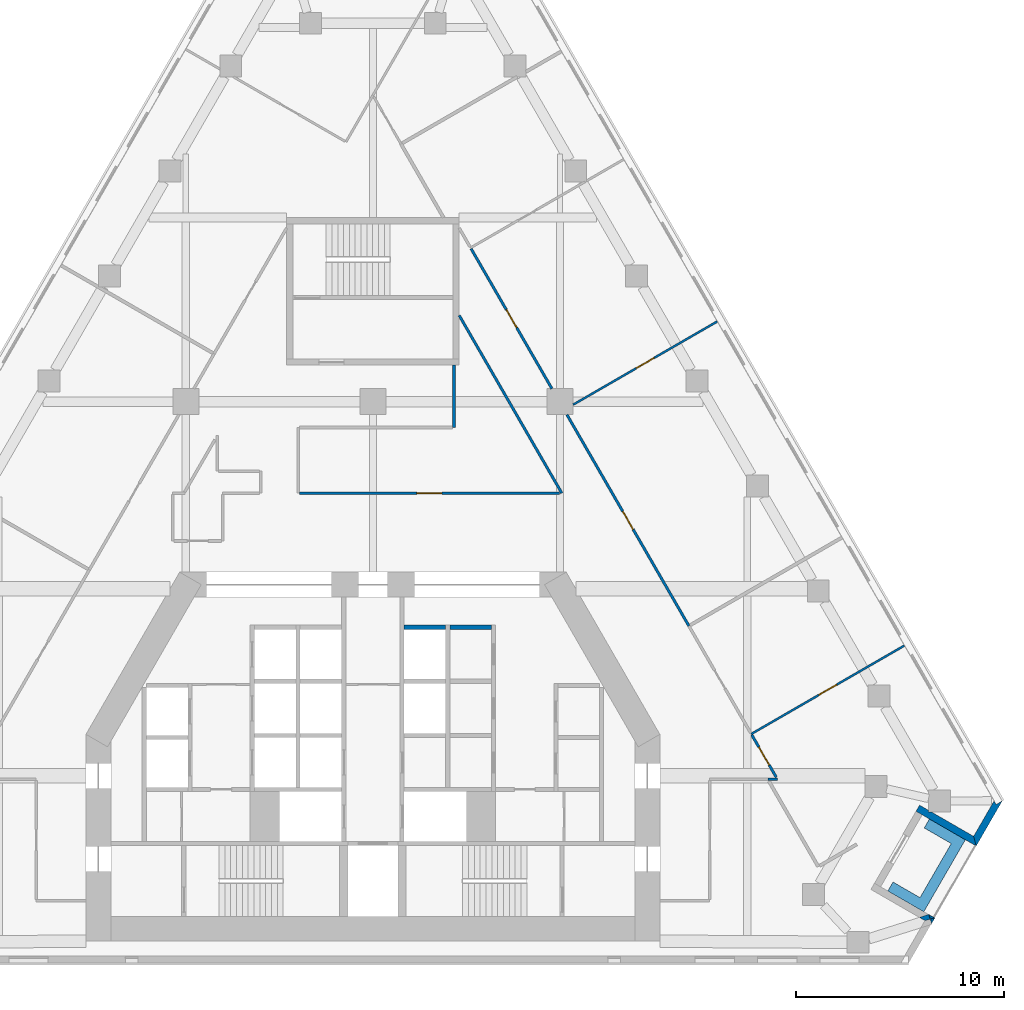
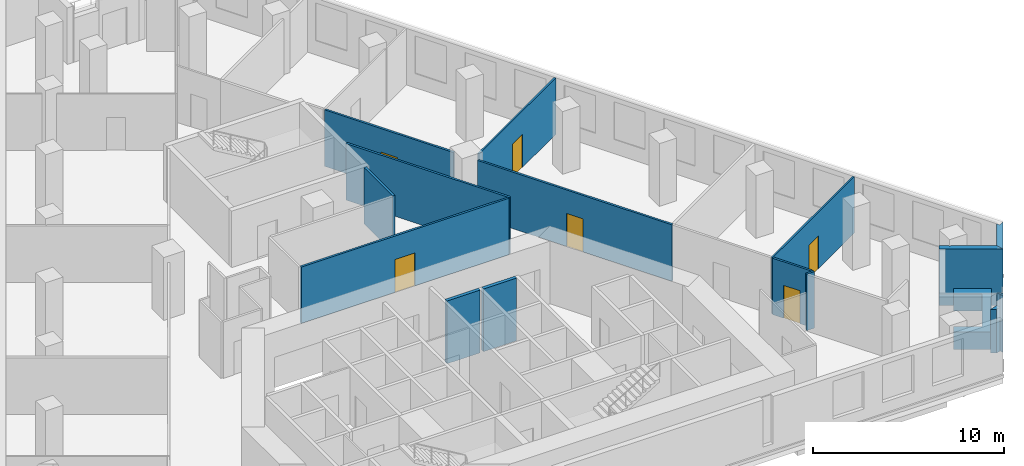
# One storey, part 7 of 10: 17 walls, 6 doors, 6 openings.
"""IFC4 building model written with IfcOpenShell, lengths in metres."""

from ifc_helpers import new_model, si_unit, direction, frame, frame_2d, origin, place, context, subcontext, project, spatial, polyline, rectangle, outline, extrude, material, layer, layer_set, type_object, element, fill, save


model = new_model("IFC4")

# Units and contexts
model_context = context("Model", 3, precision=1e-05, world=origin(), true_north=direction((0.0, 1.0)))
body_context = subcontext(model_context, "Body", "Model", "MODEL_VIEW")
ifc_project = project(units=[si_unit("LENGTHUNIT", "METRE"), si_unit("AREAUNIT", "SQUARE_METRE"), si_unit("VOLUMEUNIT", "CUBIC_METRE"), si_unit("PLANEANGLEUNIT", "RADIAN"), si_unit("MASSUNIT", "GRAM", prefix="KILO")], contexts=[model_context])

# Site, building, storey
site_placement = place(None, origin())
site = spatial("IfcSite", under=ifc_project, at=site_placement, CompositionType="ELEMENT")
building_placement = place(site_placement, origin())
building = spatial("IfcBuilding", under=site, at=building_placement, Name="Fogline Exchange Tower", CompositionType="ELEMENT")
storey_placement = place(building_placement, frame((0.0, 0.0, 116.10009765625)))
storey = spatial("IfcBuildingStorey", under=building, at=storey_placement, Name="L25", CompositionType="ELEMENT", Elevation=116.10009765625)

# Walls
ifc_material_1 = material(Name="Concrete C40", Category="concrete")
ifc_layer_1 = layer(ifc_material_1, 0.199951171875)
ifc_layer_set_1 = layer_set([ifc_layer_1], Name="CW20S")
wall_type_1 = type_object("IfcWallType", Name="CW20S", PredefinedType="SOLIDWALL", material=ifc_layer_set_1)
for number, where, z_axis, x_axis, name in (
    (1, (3.699951171875, 16.14990234375, -0.400146484375), (0.0, 0.0, 1.0), (1.0, 0.0, 0.0), "Lift shaft wall"),
    (2, (1.5, 16.14990234375, -0.400146484375), (0.0, 0.0, 1.0), (1.0, 0.0, 0.0), "Lift shaft wall"),
):
    element("IfcWall", number, at=place(storey_placement, frame(where, z_axis=z_axis, x_axis=x_axis)), inside=storey, type_object=wall_type_1, Name=name, PredefinedType="SOLIDWALL", context=body_context, shape_type="SweptSolid", body=[
        extrude(rectangle(XDim=2.0, YDim=0.199951171875, at=frame_2d((1.0, 0.0))), origin(), (0.0, 0.0, 1.0), 4.0),
    ])
ifc_material_2 = material(Name="Brick masonry", Category="masonry")
ifc_layer_2 = layer(ifc_material_2, 0.340087890625)
ifc_layer_set_2 = layer_set([ifc_layer_2], Name="FW1")
wall_type_2 = type_object("IfcWallType", Name="FW1", PredefinedType="SOLIDWALL", material=ifc_layer_set_2)
wall_1_placement = place(storey_placement, origin())
element("IfcWall", 3, at=wall_1_placement, inside=storey, type_object=wall_type_2, Name="Brick wall L25 SE-c1", PredefinedType="SOLIDWALL", context=body_context, shape_type="SweptSolid", body=[
    extrude(outline(polyline([(26.8740234375, 1.91845703125), (26.81298828125, 2.111328125), (27.0166015625, 2.166015625), (27.0166015625, 2.165771484375), (26.8740234375, 1.91845703125)])), origin(), (0.0, 0.0, 1.0), 3.599853515625),
])
wall_2_placement = place(storey_placement, origin())
element("IfcWall", 4, at=wall_2_placement, inside=storey, type_object=wall_type_2, Name="Brick wall L25 SE-s1", PredefinedType="SOLIDWALL", context=body_context, shape_type="SweptSolid", body=[
    extrude(outline(polyline([(26.746826171875, 2.321044921875), (26.8134765625, 2.1103515625), (26.551025390625, 2.0400390625), (26.281005859375, 2.196044921875), (26.721923828125, 2.33544921875), (26.746826171875, 2.321044921875)])), origin(), (0.0, 0.0, 1.0), 2.7998046875),
])
wall_3_placement = place(storey_placement, origin())
element("IfcWall", 5, at=wall_3_placement, inside=storey, type_object=wall_type_2, Name="Brick wall L25 SE-s1", PredefinedType="SOLIDWALL", context=body_context, shape_type="SweptSolid", body=[
    extrude(outline(polyline([(27.016845703125, 2.1650390625), (27.016845703125, 2.164794921875), (26.8134765625, 2.1103515625), (26.746826171875, 2.321044921875), (27.016845703125, 2.1650390625)])), origin(), (0.0, 0.0, 1.0), 3.599853515625),
])
wall_4_placement = place(storey_placement, origin())
element("IfcWall", 6, at=wall_4_placement, inside=storey, type_object=wall_type_2, Name="Brick wall L25 SE-s2", PredefinedType="SOLIDWALL", context=body_context, shape_type="SweptSolid", body=[
    extrude(outline(polyline([(29.016357421875, 5.628173828125), (26.417236328125, 7.128662109375), (26.122314453125, 7.298828125), (26.29296875, 7.594482421875), (26.72412109375, 7.345458984375), (26.72412109375, 7.269287109375), (26.856201171875, 7.269287109375), (28.8916015625, 6.093994140625), (29.0166015625, 5.62841796875), (29.016357421875, 5.628173828125)])), origin(), (0.0, 0.0, 1.0), 3.599853515625),
])
wall_5_placement = place(storey_placement, origin())
element("IfcWall", 7, at=wall_5_placement, inside=storey, type_object=wall_type_2, Name="Brick wall L25 SE-c2", PredefinedType="SOLIDWALL", context=body_context, shape_type="SweptSolid", body=[
    extrude(outline(polyline([(29.873046875, 7.79541015625), (29.971435546875, 7.625), (30.266357421875, 7.79541015625), (30.2666015625, 7.794921875), (29.015625, 5.6279296875), (29.015380859375, 5.6279296875), (28.890625, 6.09375), (29.873046875, 7.79541015625)])), origin(), (0.0, 0.0, 1.0), 3.599853515625),
])
ifc_material_3 = material(Name="Concrete C30", Category="concrete")
ifc_layer_3 = layer(ifc_material_3, 0.199951171875)
ifc_layer_set_3 = layer_set([ifc_layer_3], Name="PL1")
wall_type_3 = type_object("IfcWallType", Name="PL1", PredefinedType="USERDEFINED", material=ifc_layer_set_3)
wall_6_placement = place(storey_placement, origin())
element("IfcWall", 8, at=wall_6_placement, inside=storey, type_object=wall_type_3, Name="PLANTER balcony L25 SE", ObjectType="PLANTER", PredefinedType="USERDEFINED", context=body_context, shape_type="SweptSolid", body=[
    extrude(outline(polyline([(24.763916015625, 3.465087890625), (26.06298828125, 2.715087890625), (26.06298828125, 2.715087890625), (26.49609375, 2.465087890625), (28.49609375, 5.92919921875), (26.763916015625, 6.92919921875), (26.513916015625, 6.49609375), (27.81298828125, 5.74609375), (26.31298828125, 3.148193359375), (25.013916015625, 3.898193359375), (24.763916015625, 3.465087890625)])), origin(), (0.0, 0.0, 1.0), 1.099853515625),
])

# Wall, opening, door
ifc_material_4 = material(Name="Plasterboard partition, 2 layers each side on steel studs", Category="steel")
ifc_layer_4 = layer(ifc_material_4, 0.10009765625)
ifc_layer_set_4 = layer_set([ifc_layer_4], Name="PW1")
wall_type_4 = type_object("IfcWallType", Name="PW1", PredefinedType="PARTITIONING", material=ifc_layer_set_4)
wall_7_placement = place(storey_placement, frame((9.625, 26.8525390625, 0.0), z_axis=(0.0, 0.0, 1.0), x_axis=(0.866022071626, 0.500005771424, 0.0)))
wall_7 = element("IfcWall", 9, at=wall_7_placement, inside=storey, type_object=wall_type_4, Name="wall-L25-W033", PredefinedType="PARTITIONING", context=body_context, shape_type="SweptSolid", body=[
    extrude(rectangle(XDim=8.00634765625, YDim=0.10009765625, at=frame_2d((4.003173828125, 0.0))), origin(), (0.0, 0.0, 1.0), 3.599853515625),
])
opening_1_placement = place(wall_7_placement, frame((3.503173828125, 0.0, 0.0)))
opening_1 = element("IfcOpeningElement", 10, at=opening_1_placement, cuts=wall_7, Name="Opening T07-D013", PredefinedType="OPENING", context=body_context, shape_type="SweptSolid", body=[
    extrude(rectangle(XDim=1.0, YDim=2.10009765625, at=frame_2d((0.5, 1.050048828125))), frame((0.0, 0.06005859375, 0.0), z_axis=(0.0, -1.0, 0.0), x_axis=(1.0, 0.0, 0.0)), (0.0, 0.0, 1.0), 0.1201171875),
])
ifc_material_5 = material(Name="Timber door leaf with steel frame", Category="steel")
door_type_1 = type_object("IfcDoorType", Name="D1", OperationType="SINGLE_SWING_LEFT", PredefinedType="DOOR", material=ifc_material_5)
door_1_placement = place(opening_1_placement, origin())
door_1 = element("IfcDoor", 11, at=door_1_placement, inside=storey, type_object=door_type_1, Name="door-L25-D013", OperationType="SINGLE_SWING_RIGHT", OverallHeight=2.10009765625, OverallWidth=1.0, PredefinedType="DOOR", context=body_context, shape_type="SweptSolid", body=[
    extrude(rectangle(XDim=1.0, YDim=2.10009765625, at=frame_2d((0.5, 1.050048828125))), frame((0.0, 0.02490234375, 0.0), z_axis=(0.0, -1.0, 0.0), x_axis=(1.0, 0.0, 0.0)), (0.0, 0.0, 1.0), 0.050048828125),
])
fill(opening_1, door_1)

wall_8_placement = place(storey_placement, frame((18.197265625, 11.01708984375, 0.0), z_axis=(0.0, 0.0, 1.0), x_axis=(0.866028703517, 0.499994284652, 0.0)))
wall_8 = element("IfcWall", 12, at=wall_8_placement, inside=storey, type_object=wall_type_4, Name="wall-L25-W053", PredefinedType="PARTITIONING", context=body_context, shape_type="SweptSolid", body=[
    extrude(rectangle(XDim=8.5, YDim=0.10009765625, at=frame_2d((4.25, 0.0))), origin(), (0.0, 0.0, 1.0), 3.599853515625),
])
opening_2_placement = place(wall_8_placement, frame((3.75, 0.0, 0.0)))
opening_2 = element("IfcOpeningElement", 13, at=opening_2_placement, cuts=wall_8, Name="Opening T07-D019", PredefinedType="OPENING", context=body_context, shape_type="SweptSolid", body=[
    extrude(rectangle(XDim=1.0, YDim=2.10009765625, at=frame_2d((0.5, 1.050048828125))), frame((0.0, 0.06005859375, 0.0), z_axis=(0.0, -1.0, 0.0), x_axis=(1.0, 0.0, 0.0)), (0.0, 0.0, 1.0), 0.1201171875),
])
door_2_placement = place(opening_2_placement, origin())
door_2 = element("IfcDoor", 14, at=door_2_placement, inside=storey, type_object=door_type_1, Name="door-L25-D019", OperationType="SINGLE_SWING_LEFT", OverallHeight=2.10009765625, OverallWidth=1.0, PredefinedType="DOOR", context=body_context, shape_type="SweptSolid", body=[
    extrude(rectangle(XDim=1.0, YDim=2.10009765625, at=frame_2d((0.5, 1.050048828125))), frame((0.0, 0.02490234375, 0.0), z_axis=(0.0, -1.0, 0.0), x_axis=(1.0, 0.0, 0.0)), (0.0, 0.0, 1.0), 0.050048828125),
])
fill(opening_2, door_2)

ifc_material_6 = material(Name="Plasterboard corridor partition with mineral wool, 2 layers each side")
ifc_layer_5 = layer(ifc_material_6, 0.125)
ifc_layer_set_5 = layer_set([ifc_layer_5], Name="PW2")
wall_type_5 = type_object("IfcWallType", Name="PW2", PredefinedType="PARTITIONING", material=ifc_layer_set_5)
wall_9_placement = place(storey_placement, frame((-3.53759765625, 22.60009765625, 0.0), z_axis=(0.0, 0.0, 1.0), x_axis=(1.0, 0.0, 0.0)))
wall_9 = element("IfcWall", 15, at=wall_9_placement, inside=storey, type_object=wall_type_5, Name="wall-L25-W003", PredefinedType="PARTITIONING", context=body_context, shape_type="SweptSolid", body=[
    extrude(rectangle(XDim=12.513916015625, YDim=0.125, at=frame_2d((6.2568359375, 0.0))), origin(), (0.0, 0.0, 1.0), 3.599853515625),
])
opening_3_placement = place(wall_9_placement, frame((5.656982421875, 0.0, 0.0)))
opening_3 = element("IfcOpeningElement", 16, at=opening_3_placement, cuts=wall_9, Name="Opening T07-D002", PredefinedType="OPENING", context=body_context, shape_type="SweptSolid", body=[
    extrude(rectangle(XDim=1.199951171875, YDim=2.10009765625, at=frame_2d((0.60009765625, 1.050048828125))), frame((0.0, 0.072509765625, 0.0), z_axis=(0.0, -1.0, 0.0), x_axis=(1.0, 0.0, 0.0)), (0.0, 0.0, 1.0), 0.14501953125),
])
ifc_material_7 = material(Name="Fire-rated glazed door leaf with steel frame", Category="steel")
door_type_2 = type_object("IfcDoorType", Name="D5", OperationType="SINGLE_SWING_LEFT", PredefinedType="DOOR", material=ifc_material_7)
door_3_placement = place(opening_3_placement, origin())
door_3 = element("IfcDoor", 17, at=door_3_placement, inside=storey, type_object=door_type_2, Name="door-L25-D002", OperationType="SINGLE_SWING_RIGHT", OverallHeight=2.10009765625, OverallWidth=1.199951171875, PredefinedType="DOOR", context=body_context, shape_type="SweptSolid", body=[
    extrude(rectangle(XDim=1.199951171875, YDim=2.10009765625, at=frame_2d((0.60009765625, 1.050048828125))), frame((0.0, 0.02490234375, 0.0), z_axis=(0.0, -1.0, 0.0), x_axis=(1.0, 0.0, 0.0)), (0.0, 0.0, 1.0), 0.050048828125),
])
fill(opening_3, door_3)

wall_10_placement = place(storey_placement, frame((9.330322265625, 26.375, 0.0), z_axis=(0.0, 0.0, 1.0), x_axis=(0.50000822536, -0.866020654818, 0.0)))
wall_10 = element("IfcWall", 18, at=wall_10_placement, inside=storey, type_object=wall_type_5, Name="wall-L25-W021", PredefinedType="PARTITIONING", context=body_context, shape_type="SweptSolid", body=[
    extrude(rectangle(XDim=11.733642578125, YDim=0.125, at=frame_2d((5.86669921875, 0.0))), origin(), (0.0, 0.0, 1.0), 3.599853515625),
])
opening_4_placement = place(wall_10_placement, frame((5.366943359375, 0.0, 0.0)))
opening_4 = element("IfcOpeningElement", 19, at=opening_4_placement, cuts=wall_10, Name="Opening T07-D009", PredefinedType="OPENING", context=body_context, shape_type="SweptSolid", body=[
    extrude(rectangle(XDim=1.0, YDim=2.10009765625, at=frame_2d((0.5, 1.050048828125))), frame((0.0, 0.072509765625, 0.0), z_axis=(0.0, -1.0, 0.0), x_axis=(1.0, 0.0, 0.0)), (0.0, 0.0, 1.0), 0.14501953125),
])
ifc_material_8 = material(Name="Fire-rated timber door leaf with steel frame", Category="steel")
door_type_3 = type_object("IfcDoorType", Name="D3", OperationType="SINGLE_SWING_LEFT", PredefinedType="DOOR", material=ifc_material_8)
door_4_placement = place(opening_4_placement, origin())
door_4 = element("IfcDoor", 20, at=door_4_placement, inside=storey, type_object=door_type_3, Name="door-L25-D009", OperationType="SINGLE_SWING_LEFT", OverallHeight=2.10009765625, OverallWidth=1.0, PredefinedType="DOOR", context=body_context, shape_type="SweptSolid", body=[
    extrude(rectangle(XDim=1.0, YDim=2.10009765625, at=frame_2d((0.5, 1.050048828125))), frame((0.0, 0.02490234375, 0.0), z_axis=(0.0, -1.0, 0.0), x_axis=(1.0, 0.0, 0.0)), (0.0, 0.0, 1.0), 0.050048828125),
])
fill(opening_4, door_4)

wall_11_placement = place(storey_placement, frame((4.722412109375, 34.356201171875, 0.0), z_axis=(0.0, 0.0, 1.0), x_axis=(0.500020630024, -0.866013492707, 0.0)))
wall_11 = element("IfcWall", 21, at=wall_11_placement, inside=storey, type_object=wall_type_5, Name="wall-L25-W022", PredefinedType="PARTITIONING", context=body_context, shape_type="SweptSolid", body=[
    extrude(rectangle(XDim=7.772705078125, YDim=0.125, at=frame_2d((3.88623046875, 0.0))), origin(), (0.0, 0.0, 1.0), 3.599853515625),
])
opening_5_placement = place(wall_11_placement, frame((3.38623046875, 0.0, 0.0)))
opening_5 = element("IfcOpeningElement", 22, at=opening_5_placement, cuts=wall_11, Name="Opening T07-D010", PredefinedType="OPENING", context=body_context, shape_type="SweptSolid", body=[
    extrude(rectangle(XDim=1.0, YDim=2.10009765625, at=frame_2d((0.5, 1.050048828125))), frame((0.0, 0.072509765625, 0.0), z_axis=(0.0, -1.0, 0.0), x_axis=(1.0, 0.0, 0.0)), (0.0, 0.0, 1.0), 0.14501953125),
])
door_5_placement = place(opening_5_placement, origin())
door_5 = element("IfcDoor", 23, at=door_5_placement, inside=storey, type_object=door_type_3, Name="door-L25-D010", OperationType="SINGLE_SWING_LEFT", OverallHeight=2.10009765625, OverallWidth=1.0, PredefinedType="DOOR", context=body_context, shape_type="SweptSolid", body=[
    extrude(rectangle(XDim=1.0, YDim=2.10009765625, at=frame_2d((0.5, 1.050048828125))), frame((0.0, 0.02490234375, 0.0), z_axis=(0.0, -1.0, 0.0), x_axis=(1.0, 0.0, 0.0)), (0.0, 0.0, 1.0), 0.050048828125),
])
fill(opening_5, door_5)

# Wall
wall_12_placement = place(storey_placement, frame((9.085205078125, 22.60009765625, 0.0), z_axis=(0.0, 0.0, 1.0), x_axis=(-0.500015070409, 0.866016702705, 0.0)))
element("IfcWall", 24, at=wall_12_placement, inside=storey, type_object=wall_type_5, Name="wall-L25-W023", PredefinedType="PARTITIONING", context=body_context, shape_type="SweptSolid", body=[
    extrude(rectangle(XDim=9.870361328125, YDim=0.125, at=frame_2d((4.93505859375, 0.0))), origin(), (0.0, 0.0, 1.0), 3.599853515625),
])

# Wall, opening, door
wall_13_placement = place(storey_placement, frame((18.222412109375, 10.973388671875, 0.0), z_axis=(0.0, 0.0, 1.0), x_axis=(0.500030573929, -0.866007751199, 0.0)))
wall_13 = element("IfcWall", 25, at=wall_13_placement, inside=storey, type_object=wall_type_5, Name="wall-L25-W026", PredefinedType="PARTITIONING", context=body_context, shape_type="SweptSolid", body=[
    extrude(rectangle(XDim=2.354736328125, YDim=0.125, at=frame_2d((1.17724609375, 0.0))), origin(), (0.0, 0.0, 1.0), 3.599853515625),
])
opening_6_placement = place(wall_13_placement, frame((0.677490234375, 0.0, 0.0)))
opening_6 = element("IfcOpeningElement", 26, at=opening_6_placement, cuts=wall_13, Name="Opening T07-D011", PredefinedType="OPENING", context=body_context, shape_type="SweptSolid", body=[
    extrude(rectangle(XDim=1.0, YDim=2.10009765625, at=frame_2d((0.5, 1.050048828125))), frame((0.0, 0.072509765625, 0.0), z_axis=(0.0, -1.0, 0.0), x_axis=(1.0, 0.0, 0.0)), (0.0, 0.0, 1.0), 0.14501953125),
])
door_6_placement = place(opening_6_placement, origin())
door_6 = element("IfcDoor", 27, at=door_6_placement, inside=storey, type_object=door_type_3, Name="door-L25-D011", OperationType="SINGLE_SWING_RIGHT", OverallHeight=2.10009765625, OverallWidth=1.0, PredefinedType="DOOR", context=body_context, shape_type="SweptSolid", body=[
    extrude(rectangle(XDim=1.0, YDim=2.10009765625, at=frame_2d((0.5, 1.050048828125))), frame((0.0, 0.02490234375, 0.0), z_axis=(0.0, -1.0, 0.0), x_axis=(1.0, 0.0, 0.0)), (0.0, 0.0, 1.0), 0.050048828125),
])
fill(opening_6, door_6)

# Walls
wall_14_placement = place(storey_placement, frame((19.454345703125, 8.840087890625, 0.0), z_axis=(0.0, 0.0, 1.0), x_axis=(-1.0, 0.0, 0.0)))
element("IfcWall", 28, at=wall_14_placement, inside=storey, type_object=wall_type_5, Name="wall-L25-W027", PredefinedType="PARTITIONING", context=body_context, shape_type="SweptSolid", body=[
    extrude(rectangle(XDim=0.4619140625, YDim=0.125, at=frame_2d((0.23095703125, 0.0))), origin(), (0.0, 0.0, 1.0), 3.599853515625),
])
ifc_material_9 = material(Name="Plasterboard stair lobby partition, 3 layers each side on steel studs", Category="steel")
ifc_layer_6 = layer(ifc_material_9, 0.14990234375)
ifc_layer_set_6 = layer_set([ifc_layer_6], Name="PW4")
wall_type_6 = type_object("IfcWallType", Name="PW4", PredefinedType="PARTITIONING", material=ifc_layer_set_6)
wall_15_placement = place(storey_placement, frame((3.89990234375, 28.757080078125, 0.0), z_axis=(0.0, 0.0, 1.0), x_axis=(0.0, -1.0, 0.0)))
element("IfcWall", 29, at=wall_15_placement, inside=storey, type_object=wall_type_6, Name="wall-L25-W019", PredefinedType="PARTITIONING", context=body_context, shape_type="SweptSolid", body=[
    extrude(rectangle(XDim=3.0, YDim=0.14990234375, at=frame_2d((1.5, 0.0))), origin(), (0.0, 0.0, 1.0), 3.599853515625),
])

save(model, "model.ifc")
